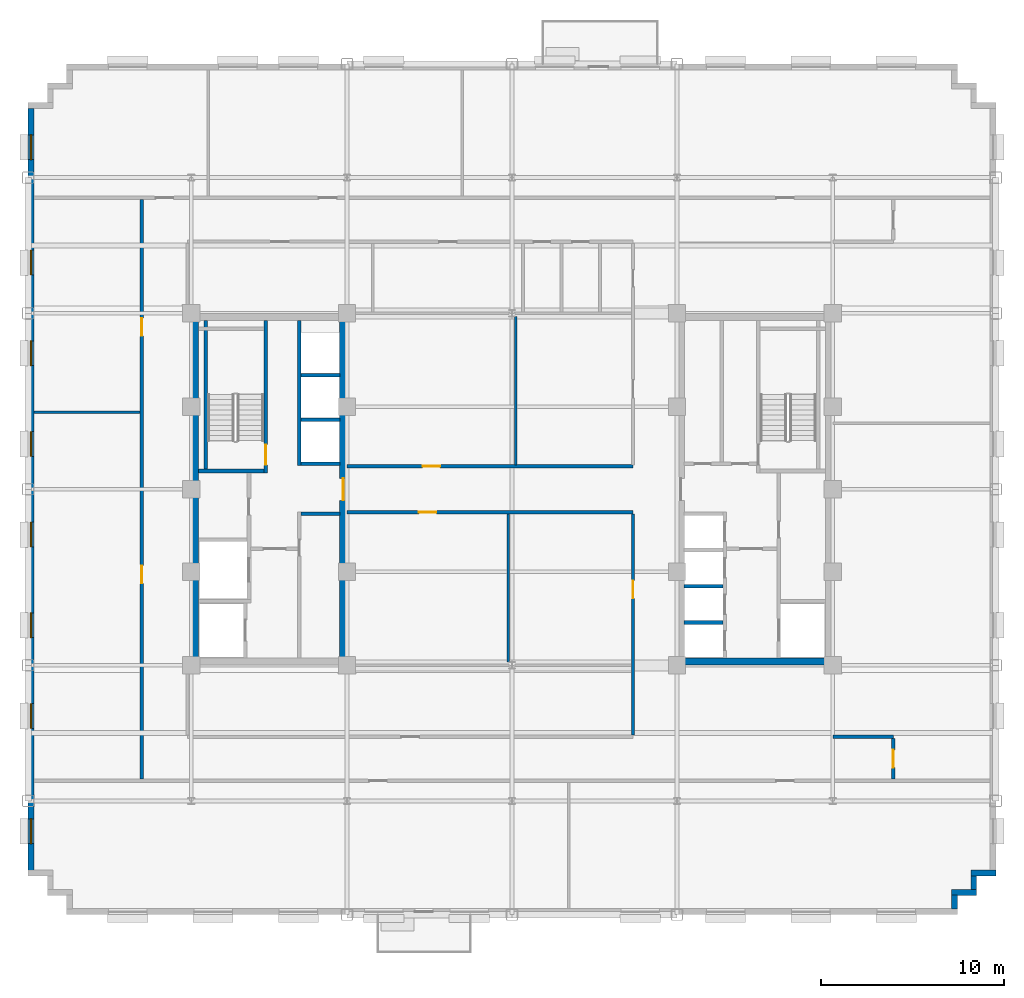
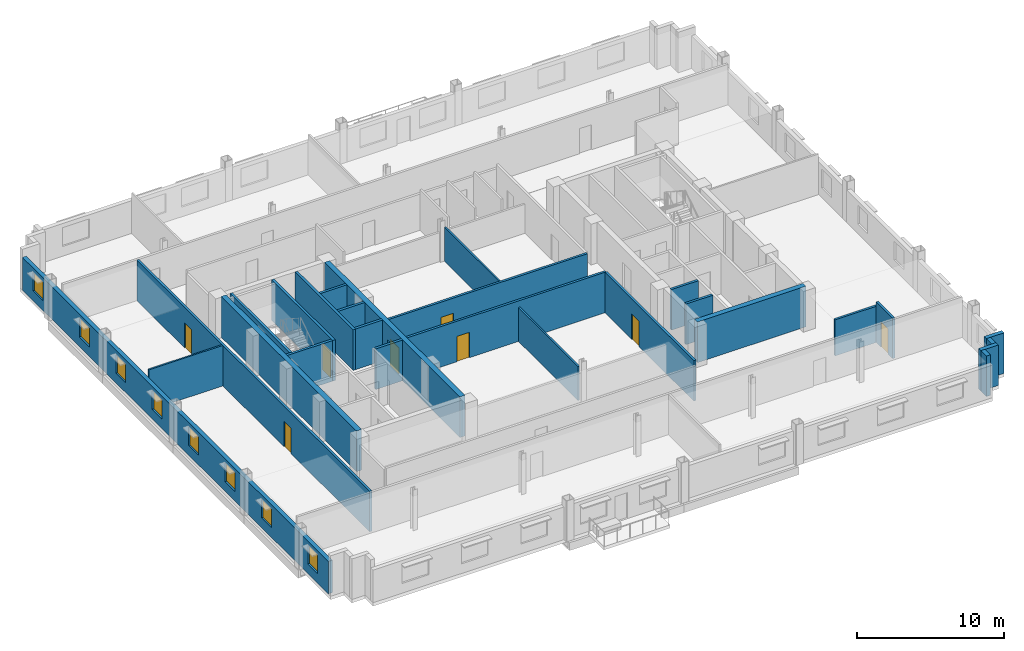
# One storey, part 7 of 14: 27 walls, 8 doors, 8 windows, 16 openings.
"""IFC4 building model written with IfcOpenShell, lengths in metres."""

from ifc_helpers import new_model, si_unit, direction, frame, frame_2d, origin, place, context, subcontext, project, spatial, rectangle, extrude, source, transform, mapped, material, layer, layer_set, type_object, type_shapes, element, fill, save


model = new_model("IFC4")

# Units and contexts
model_context = context("Model", 3, precision=1e-05, world=origin(), true_north=direction((0.0, 1.0)))
body_context = subcontext(model_context, "Body", "Model", "MODEL_VIEW")
ifc_project = project(units=[si_unit("LENGTHUNIT", "METRE"), si_unit("AREAUNIT", "SQUARE_METRE"), si_unit("VOLUMEUNIT", "CUBIC_METRE"), si_unit("PLANEANGLEUNIT", "RADIAN"), si_unit("MASSUNIT", "GRAM", prefix="KILO")], contexts=[model_context])

# Site, building, storey
site_placement = place(None, origin())
site = spatial("IfcSite", under=ifc_project, at=site_placement, CompositionType="ELEMENT")
building_placement = place(site_placement, origin())
building = spatial("IfcBuilding", under=site, at=building_placement, Name="Nuvemarco Arch Tower", CompositionType="ELEMENT")
storey_placement = place(building_placement, frame((0.0, 0.0, 138.449951171875)))
storey = spatial("IfcBuildingStorey", under=building, at=storey_placement, Name="L36", CompositionType="ELEMENT", Elevation=138.449951171875)

# Walls
ifc_material_1 = material(Name="Precast concrete C45/55", Category="concrete")
ifc_layer_1 = layer(ifc_material_1, 0.320068359375, Name="EW-MID-320")
ifc_layer_set_1 = layer_set([ifc_layer_1], Name="Precast concrete C45/55")
wall_type_1 = type_object("IfcWallType", Name="EW-MID-320", PredefinedType="STANDARD", material=ifc_layer_set_1)
wall_1_placement = place(storey_placement, frame((24.139892578125, -22.884033203125, 0.0), z_axis=(0.0, 0.0, 1.0), x_axis=(0.0, 1.0, 0.0)))
element("IfcWall", 1, at=wall_1_placement, inside=storey, type_object=wall_type_1, Name="L36 exterior precast facade wall 2", PredefinedType="STANDARD", context=body_context, shape_type="SweptSolid", body=[
    extrude(rectangle(XDim=0.738037109375, YDim=0.320068359375, at=frame_2d((0.369140625, 0.0))), origin(), (0.0, 0.0, 1.0), 3.360107421875),
])
wall_2_placement = place(storey_placement, frame((23.97998046875, -21.989990234375, 0.0), z_axis=(0.0, 0.0, 1.0), x_axis=(1.0, 0.0, 0.0)))
element("IfcWall", 2, at=wall_2_placement, inside=storey, type_object=wall_type_1, Name="L36 exterior precast facade wall 3", PredefinedType="STANDARD", context=body_context, shape_type="SweptSolid", body=[
    extrude(rectangle(XDim=1.3701171875, YDim=0.320068359375, at=frame_2d((0.68505859375, 0.0))), origin(), (0.0, 0.0, 1.0), 3.360107421875),
])
wall_3_placement = place(storey_placement, frame((25.18994140625, -21.833984375, 0.0), z_axis=(0.0, 0.0, 1.0), x_axis=(0.0, 1.0, 0.0)))
element("IfcWall", 3, at=wall_3_placement, inside=storey, type_object=wall_type_1, Name="L36 exterior precast facade wall 4", PredefinedType="STANDARD", context=body_context, shape_type="SweptSolid", body=[
    extrude(rectangle(XDim=0.738037109375, YDim=0.320068359375, at=frame_2d((0.369140625, 0.0))), origin(), (0.0, 0.0, 1.0), 3.360107421875),
])
wall_4_placement = place(storey_placement, frame((25.030029296875, -20.93994140625, 0.0), z_axis=(0.0, 0.0, 1.0), x_axis=(1.0, 0.0, 0.0)))
element("IfcWall", 4, at=wall_4_placement, inside=storey, type_object=wall_type_1, Name="L36 exterior precast facade wall 5", PredefinedType="STANDARD", context=body_context, shape_type="SweptSolid", body=[
    extrude(rectangle(XDim=1.369873046875, YDim=0.320068359375, at=frame_2d((0.68505859375, 0.0))), origin(), (0.0, 0.0, 1.0), 3.360107421875),
])

# Wall, openings, windows
wall_5_placement = place(storey_placement, frame((-26.239990234375, -20.783935546875, 0.0), z_axis=(0.0, 0.0, 1.0), x_axis=(0.0, 1.0, 0.0)))
wall_5 = element("IfcWall", 5, at=wall_5_placement, inside=storey, type_object=wall_type_1, Name="L36 exterior precast facade wall 16", PredefinedType="STANDARD", context=body_context, shape_type="SweptSolid", body=[
    extrude(rectangle(XDim=41.56787109375, YDim=0.320068359375, at=frame_2d((20.783935546875, 0.0))), origin(), (0.0, 0.0, 1.0), 2.705078125),
])
opening_1_placement = place(wall_5_placement, frame((1.447998046875, 0.0, 0.800048828125)))
opening_1 = element("IfcOpeningElement", 6, at=opening_1_placement, cuts=wall_5, Name="Opening WN-6", PredefinedType="OPENING", context=body_context, shape_type="SweptSolid", body=[
    extrude(rectangle(XDim=1.35009765625, YDim=1.56005859375, at=frame_2d((0.675048828125, 0.780029296875))), frame((0.0, 0.169921875, 0.0), z_axis=(0.0, -1.0, 0.0), x_axis=(1.0, 0.0, 0.0)), (0.0, 0.0, 1.0), 0.340087890625),
])
opening_2_placement = place(wall_5_placement, frame((7.743896484375, 0.0, 0.800048828125)))
opening_2 = element("IfcOpeningElement", 7, at=opening_2_placement, cuts=wall_5, Name="Opening WN-6", PredefinedType="OPENING", context=body_context, shape_type="SweptSolid", body=[
    extrude(rectangle(XDim=1.35009765625, YDim=1.56005859375, at=frame_2d((0.675048828125, 0.780029296875))), frame((0.0, 0.169921875, 0.0), z_axis=(0.0, -1.0, 0.0), x_axis=(1.0, 0.0, 0.0)), (0.0, 0.0, 1.0), 0.340087890625),
])
opening_3_placement = place(wall_5_placement, frame((12.68994140625, 0.0, 0.800048828125)))
opening_3 = element("IfcOpeningElement", 8, at=opening_3_placement, cuts=wall_5, Name="Opening WN-6", PredefinedType="OPENING", context=body_context, shape_type="SweptSolid", body=[
    extrude(rectangle(XDim=1.35009765625, YDim=1.56005859375, at=frame_2d((0.675048828125, 0.780029296875))), frame((0.0, 0.169921875, 0.0), z_axis=(0.0, -1.0, 0.0), x_axis=(1.0, 0.0, 0.0)), (0.0, 0.0, 1.0), 0.340087890625),
])
opening_4_placement = place(wall_5_placement, frame((17.635986328125, 0.0, 0.800048828125)))
opening_4 = element("IfcOpeningElement", 9, at=opening_4_placement, cuts=wall_5, Name="Opening WN-6", PredefinedType="OPENING", context=body_context, shape_type="SweptSolid", body=[
    extrude(rectangle(XDim=1.35009765625, YDim=1.56005859375, at=frame_2d((0.675048828125, 0.780029296875))), frame((0.0, 0.169921875, 0.0), z_axis=(0.0, -1.0, 0.0), x_axis=(1.0, 0.0, 0.0)), (0.0, 0.0, 1.0), 0.340087890625),
])
opening_5_placement = place(wall_5_placement, frame((22.58203125, 0.0, 0.800048828125)))
opening_5 = element("IfcOpeningElement", 10, at=opening_5_placement, cuts=wall_5, Name="Opening WN-6", PredefinedType="OPENING", context=body_context, shape_type="SweptSolid", body=[
    extrude(rectangle(XDim=1.35009765625, YDim=1.56005859375, at=frame_2d((0.675048828125, 0.780029296875))), frame((0.0, 0.169921875, 0.0), z_axis=(0.0, -1.0, 0.0), x_axis=(1.0, 0.0, 0.0)), (0.0, 0.0, 1.0), 0.340087890625),
])
opening_6_placement = place(wall_5_placement, frame((27.528076171875, 0.0, 0.800048828125)))
opening_6 = element("IfcOpeningElement", 11, at=opening_6_placement, cuts=wall_5, Name="Opening WN-6", PredefinedType="OPENING", context=body_context, shape_type="SweptSolid", body=[
    extrude(rectangle(XDim=1.35009765625, YDim=1.56005859375, at=frame_2d((0.675048828125, 0.780029296875))), frame((0.0, 0.169921875, 0.0), z_axis=(0.0, -1.0, 0.0), x_axis=(1.0, 0.0, 0.0)), (0.0, 0.0, 1.0), 0.340087890625),
])
opening_7_placement = place(wall_5_placement, frame((32.47412109375, 0.0, 0.800048828125)))
opening_7 = element("IfcOpeningElement", 12, at=opening_7_placement, cuts=wall_5, Name="Opening WN-6", PredefinedType="OPENING", context=body_context, shape_type="SweptSolid", body=[
    extrude(rectangle(XDim=1.35009765625, YDim=1.56005859375, at=frame_2d((0.675048828125, 0.780029296875))), frame((0.0, 0.169921875, 0.0), z_axis=(0.0, -1.0, 0.0), x_axis=(1.0, 0.0, 0.0)), (0.0, 0.0, 1.0), 0.340087890625),
])
opening_8_placement = place(wall_5_placement, frame((38.77001953125, 0.0, 0.800048828125)))
opening_8 = element("IfcOpeningElement", 13, at=opening_8_placement, cuts=wall_5, Name="Opening WN-6", PredefinedType="OPENING", context=body_context, shape_type="SweptSolid", body=[
    extrude(rectangle(XDim=1.35009765625, YDim=1.56005859375, at=frame_2d((0.675048828125, 0.780029296875))), frame((0.0, 0.169921875, 0.0), z_axis=(0.0, -1.0, 0.0), x_axis=(1.0, 0.0, 0.0)), (0.0, 0.0, 1.0), 0.340087890625),
])
ifc_material_2 = material(Name="Insulated solar-control glass", Category="glass")
window_type = type_object("IfcWindowType", Name="WN-MID-1350x1560", PartitioningType="SINGLE_PANEL", PredefinedType="WINDOW", material=ifc_material_2)
shared_shape_1 = source(origin(), body_context, "Body", "SweptSolid", [
    extrude(rectangle(XDim=1.35009765625, YDim=1.56005859375, at=frame_2d((0.675048828125, 0.780029296875))), frame((0.0, 0.030029296875, 0.0), z_axis=(0.0, -1.0, 0.0), x_axis=(1.0, 0.0, 0.0)), (0.0, 0.0, 1.0), 0.06005859375),
])
type_shapes(window_type, [shared_shape_1])
window_1_placement = place(opening_1_placement, origin())
window_1 = element("IfcWindow", 14, at=window_1_placement, inside=storey, type_object=window_type, Name="L36 punched facade window 1", OverallHeight=1.56005859375, OverallWidth=1.35009765625, PartitioningType="SINGLE_PANEL", PredefinedType="WINDOW", context=body_context, shape_type="MappedRepresentation", body=[
    mapped(shared_shape_1, transform((0.0, 0.0, 0.0), scale=1.0)),
])
fill(opening_1, window_1)
window_2_placement = place(opening_2_placement, origin())
window_2 = element("IfcWindow", 15, at=window_2_placement, inside=storey, type_object=window_type, Name="L36 punched facade window 2", OverallHeight=1.56005859375, OverallWidth=1.35009765625, PartitioningType="SINGLE_PANEL", PredefinedType="WINDOW", context=body_context, shape_type="MappedRepresentation", body=[
    mapped(shared_shape_1, transform((0.0, 0.0, 0.0), scale=1.0)),
])
fill(opening_2, window_2)
window_3_placement = place(opening_3_placement, origin())
window_3 = element("IfcWindow", 16, at=window_3_placement, inside=storey, type_object=window_type, Name="L36 punched facade window 3", OverallHeight=1.56005859375, OverallWidth=1.35009765625, PartitioningType="SINGLE_PANEL", PredefinedType="WINDOW", context=body_context, shape_type="MappedRepresentation", body=[
    mapped(shared_shape_1, transform((0.0, 0.0, 0.0), scale=1.0)),
])
fill(opening_3, window_3)
window_4_placement = place(opening_4_placement, origin())
window_4 = element("IfcWindow", 17, at=window_4_placement, inside=storey, type_object=window_type, Name="L36 punched facade window 4", OverallHeight=1.56005859375, OverallWidth=1.35009765625, PartitioningType="SINGLE_PANEL", PredefinedType="WINDOW", context=body_context, shape_type="MappedRepresentation", body=[
    mapped(shared_shape_1, transform((0.0, 0.0, 0.0), scale=1.0)),
])
fill(opening_4, window_4)
window_5_placement = place(opening_5_placement, origin())
window_5 = element("IfcWindow", 18, at=window_5_placement, inside=storey, type_object=window_type, Name="L36 punched facade window 5", OverallHeight=1.56005859375, OverallWidth=1.35009765625, PartitioningType="SINGLE_PANEL", PredefinedType="WINDOW", context=body_context, shape_type="MappedRepresentation", body=[
    mapped(shared_shape_1, transform((0.0, 0.0, 0.0), scale=1.0)),
])
fill(opening_5, window_5)
window_6_placement = place(opening_6_placement, origin())
window_6 = element("IfcWindow", 19, at=window_6_placement, inside=storey, type_object=window_type, Name="L36 punched facade window 6", OverallHeight=1.56005859375, OverallWidth=1.35009765625, PartitioningType="SINGLE_PANEL", PredefinedType="WINDOW", context=body_context, shape_type="MappedRepresentation", body=[
    mapped(shared_shape_1, transform((0.0, 0.0, 0.0), scale=1.0)),
])
fill(opening_6, window_6)
window_7_placement = place(opening_7_placement, origin())
window_7 = element("IfcWindow", 20, at=window_7_placement, inside=storey, type_object=window_type, Name="L36 punched facade window 7", OverallHeight=1.56005859375, OverallWidth=1.35009765625, PartitioningType="SINGLE_PANEL", PredefinedType="WINDOW", context=body_context, shape_type="MappedRepresentation", body=[
    mapped(shared_shape_1, transform((0.0, 0.0, 0.0), scale=1.0)),
])
fill(opening_7, window_7)
window_8_placement = place(opening_8_placement, origin())
window_8 = element("IfcWindow", 21, at=window_8_placement, inside=storey, type_object=window_type, Name="L36 punched facade window 8", OverallHeight=1.56005859375, OverallWidth=1.35009765625, PartitioningType="SINGLE_PANEL", PredefinedType="WINDOW", context=body_context, shape_type="MappedRepresentation", body=[
    mapped(shared_shape_1, transform((0.0, 0.0, 0.0), scale=1.0)),
])
fill(opening_8, window_8)

# Wall
ifc_material_3 = material(Name="Concrete C60/75", Category="concrete")
ifc_layer_2 = layer(ifc_material_3, 0.39990234375, Name="WL-CORE-400")
ifc_layer_set_2 = layer_set([ifc_layer_2], Name="Concrete C60/75")
wall_type_2 = type_object("IfcWallType", Name="WL-CORE-400", PredefinedType="SHEAR", material=ifc_layer_set_2)
wall_6_placement = place(storey_placement, frame((-17.300048828125, -9.205078125, 0.0), z_axis=(0.0, 0.0, 1.0), x_axis=(0.0, 1.0, 0.0)))
element("IfcWall", 22, at=wall_6_placement, inside=storey, type_object=wall_type_2, Name="L36 W-core shear wall W", PredefinedType="SHEAR", context=body_context, shape_type="SweptSolid", body=[
    extrude(rectangle(XDim=18.41015625, YDim=0.39990234375, at=frame_2d((9.205078125, 0.0))), origin(), (0.0, 0.0, 1.0), 3.3701171875),
])

# Wall, opening, door
wall_7_placement = place(storey_placement, frame((-9.199951171875, -9.205078125, 0.0), z_axis=(0.0, 0.0, 1.0), x_axis=(0.0, 1.0, 0.0)))
wall_7 = element("IfcWall", 23, at=wall_7_placement, inside=storey, type_object=wall_type_2, Name="L36 W-core shear wall E", PredefinedType="SHEAR", context=body_context, shape_type="SweptSolid", body=[
    extrude(rectangle(XDim=18.41015625, YDim=0.39990234375, at=frame_2d((9.205078125, 0.0))), origin(), (0.0, 0.0, 1.0), 3.3701171875),
])
opening_9_placement = place(wall_7_placement, frame((8.60498046875, 0.0, 0.0)))
opening_9 = element("IfcOpeningElement", 24, at=opening_9_placement, cuts=wall_7, Name="Opening FD-2", PredefinedType="OPENING", context=body_context, shape_type="SweptSolid", body=[
    extrude(rectangle(XDim=1.199951171875, YDim=2.14990234375, at=frame_2d((0.60009765625, 1.074951171875))), frame((0.0, 0.2099609375, 0.0), z_axis=(0.0, -1.0, 0.0), x_axis=(1.0, 0.0, 0.0)), (0.0, 0.0, 1.0), 0.419921875),
])
ifc_material_4 = material(Name="Anodised steel fire door", Category="steel")
door_type_1 = type_object("IfcDoorType", Name="DR-FFLOB-FD", OperationType="NOTDEFINED", PredefinedType="DOOR", material=ifc_material_4)
shared_shape_2 = source(origin(), body_context, "Body", "SweptSolid", [
    extrude(rectangle(XDim=1.199951171875, YDim=2.14990234375, at=frame_2d((0.60009765625, 1.074951171875))), frame((0.0, 0.02490234375, 0.0), z_axis=(0.0, -1.0, 0.0), x_axis=(1.0, 0.0, 0.0)), (0.0, 0.0, 1.0), 0.050048828125),
])
type_shapes(door_type_1, [shared_shape_2])
door_1_placement = place(opening_9_placement, origin())
door_1 = element("IfcDoor", 25, at=door_1_placement, inside=storey, type_object=door_type_1, Name="L36 door FD-L36-WCORE-E", OperationType="SINGLE_SWING_LEFT", OverallHeight=2.14990234375, OverallWidth=1.199951171875, PredefinedType="DOOR", context=body_context, shape_type="MappedRepresentation", body=[
    mapped(shared_shape_2, transform((0.0, 0.0, 0.0), scale=1.0)),
])
fill(opening_9, door_1)

# Walls
wall_8_placement = place(storey_placement, frame((9.0, -9.39990234375, 0.0), z_axis=(0.0, 0.0, 1.0), x_axis=(1.0, 0.0, 0.0)))
element("IfcWall", 26, at=wall_8_placement, inside=storey, type_object=wall_type_2, Name="L36 E-core shear wall S", PredefinedType="SHEAR", context=body_context, shape_type="SweptSolid", body=[
    extrude(rectangle(XDim=8.5, YDim=0.39990234375, at=frame_2d((4.25, 0.0))), origin(), (0.0, 0.0, 1.0), 3.3701171875),
])
ifc_material_5 = material(Name="Fire-rated gypsum drywall partition")
ifc_layer_3 = layer(ifc_material_5, 0.179931640625, Name="WL-CORR-180")
ifc_layer_set_3 = layer_set([ifc_layer_3], Name="Fire-rated gypsum drywall partition")
wall_type_3 = type_object("IfcWallType", Name="WL-CORR-180", PredefinedType="PARTITIONING", material=ifc_layer_set_3)
wall_9_placement = place(storey_placement, frame((17.5, -13.5, 0.0), z_axis=(0.0, 0.0, 1.0), x_axis=(1.0, 0.0, 0.0)))
element("IfcWall", 27, at=wall_9_placement, inside=storey, type_object=wall_type_3, Name="L36 interior wall IW-L36-003", PredefinedType="PARTITIONING", context=body_context, shape_type="SweptSolid", body=[
    extrude(rectangle(XDim=3.300048828125, YDim=0.179931640625, at=frame_2d((1.64990234375, 0.0))), origin(), (0.0, 0.0, 1.0), 2.998046875),
])

# Wall, opening, door
wall_10_placement = place(storey_placement, frame((-9.0, -1.25, 0.0), z_axis=(0.0, 0.0, 1.0), x_axis=(1.0, 0.0, 0.0)))
wall_10 = element("IfcWall", 28, at=wall_10_placement, inside=storey, type_object=wall_type_3, Name="L36 interior wall IW-L36-006", PredefinedType="PARTITIONING", context=body_context, shape_type="SweptSolid", body=[
    extrude(rectangle(XDim=15.60009765625, YDim=0.179931640625, at=frame_2d((7.800048828125, 0.0))), origin(), (0.0, 0.0, 1.0), 3.360107421875),
])
opening_10_placement = place(wall_10_placement, frame((3.919921875, 0.0, 0.0)))
opening_10 = element("IfcOpeningElement", 29, at=opening_10_placement, cuts=wall_10, Name="Opening FD-5", PredefinedType="OPENING", context=body_context, shape_type="SweptSolid", body=[
    extrude(rectangle(XDim=0.9599609375, YDim=2.10009765625, at=frame_2d((0.47998046875, 1.050048828125))), frame((0.0, 0.099853515625, 0.0), z_axis=(0.0, -1.0, 0.0), x_axis=(1.0, 0.0, 0.0)), (0.0, 0.0, 1.0), 0.199951171875),
])
ifc_material_6 = material(Name="Timber fire door", Category="wood")
door_type_2 = type_object("IfcDoorType", Name="DR-CORR-FD", OperationType="NOTDEFINED", PredefinedType="DOOR", material=ifc_material_6)
shared_shape_3 = source(origin(), body_context, "Body", "SweptSolid", [
    extrude(rectangle(XDim=0.9599609375, YDim=2.10009765625, at=frame_2d((0.47998046875, 1.050048828125))), frame((0.0, 0.02490234375, 0.0), z_axis=(0.0, -1.0, 0.0), x_axis=(1.0, 0.0, 0.0)), (0.0, 0.0, 1.0), 0.050048828125),
])
type_shapes(door_type_2, [shared_shape_3])
door_2_placement = place(opening_10_placement, origin())
door_2 = element("IfcDoor", 30, at=door_2_placement, inside=storey, type_object=door_type_2, Name="L36 door DR-L36-C_SW", OperationType="SINGLE_SWING_RIGHT", OverallHeight=2.10009765625, OverallWidth=0.9599609375, PredefinedType="DOOR", context=body_context, shape_type="MappedRepresentation", body=[
    mapped(shared_shape_3, transform((0.0, 0.0, 0.0), scale=1.0)),
])
fill(opening_10, door_2)

wall_11_placement = place(storey_placement, frame((-9.0, 1.25, 0.0), z_axis=(0.0, 0.0, 1.0), x_axis=(1.0, 0.0, 0.0)))
wall_11 = element("IfcWall", 31, at=wall_11_placement, inside=storey, type_object=wall_type_3, Name="L36 interior wall IW-L36-007", PredefinedType="PARTITIONING", context=body_context, shape_type="SweptSolid", body=[
    extrude(rectangle(XDim=15.60009765625, YDim=0.179931640625, at=frame_2d((7.800048828125, 0.0))), origin(), (0.0, 0.0, 1.0), 3.360107421875),
])
opening_11_placement = place(wall_11_placement, frame((4.1201171875, 0.0, 0.0)))
opening_11 = element("IfcOpeningElement", 32, at=opening_11_placement, cuts=wall_11, Name="Opening FD-5", PredefinedType="OPENING", context=body_context, shape_type="SweptSolid", body=[
    extrude(rectangle(XDim=0.9599609375, YDim=2.10009765625, at=frame_2d((0.47998046875, 1.050048828125))), frame((0.0, 0.099853515625, 0.0), z_axis=(0.0, -1.0, 0.0), x_axis=(1.0, 0.0, 0.0)), (0.0, 0.0, 1.0), 0.199951171875),
])
door_3_placement = place(opening_11_placement, origin())
door_3 = element("IfcDoor", 33, at=door_3_placement, inside=storey, type_object=door_type_2, Name="L36 door DR-L36-C_NW", OperationType="SINGLE_SWING_LEFT", OverallHeight=2.10009765625, OverallWidth=0.9599609375, PredefinedType="DOOR", context=body_context, shape_type="MappedRepresentation", body=[
    mapped(shared_shape_3, transform((0.0, 0.0, 0.0), scale=1.0)),
])
fill(opening_11, door_3)

# Wall, openings, doors
wall_12_placement = place(storey_placement, frame((-20.199951171875, -15.81396484375, 0.0), z_axis=(0.0, 0.0, 1.0), x_axis=(0.0, 1.0, 0.0)))
wall_12 = element("IfcWall", 34, at=wall_12_placement, inside=storey, type_object=wall_type_3, Name="L36 interior wall IW-L36-015", PredefinedType="PARTITIONING", context=body_context, shape_type="SweptSolid", body=[
    extrude(rectangle(XDim=31.6279296875, YDim=0.179931640625, at=frame_2d((15.81396484375, 0.0))), origin(), (0.0, 0.0, 1.0), 3.360107421875),
])
opening_12_placement = place(wall_12_placement, frame((10.68408203125, 0.0, 0.0)))
opening_12 = element("IfcOpeningElement", 35, at=opening_12_placement, cuts=wall_12, Name="Opening FD-5", PredefinedType="OPENING", context=body_context, shape_type="SweptSolid", body=[
    extrude(rectangle(XDim=0.9599609375, YDim=2.10009765625, at=frame_2d((0.47998046875, 1.050048828125))), frame((0.0, 0.099853515625, 0.0), z_axis=(0.0, -1.0, 0.0), x_axis=(1.0, 0.0, 0.0)), (0.0, 0.0, 1.0), 0.199951171875),
])
opening_13_placement = place(wall_12_placement, frame((24.18408203125, 0.0, 0.0)))
opening_13 = element("IfcOpeningElement", 36, at=opening_13_placement, cuts=wall_12, Name="Opening FD-5", PredefinedType="OPENING", context=body_context, shape_type="SweptSolid", body=[
    extrude(rectangle(XDim=0.9599609375, YDim=2.10009765625, at=frame_2d((0.47998046875, 1.050048828125))), frame((0.0, 0.099853515625, 0.0), z_axis=(0.0, -1.0, 0.0), x_axis=(1.0, 0.0, 0.0)), (0.0, 0.0, 1.0), 0.199951171875),
])
door_4_placement = place(opening_12_placement, origin())
door_4 = element("IfcDoor", 37, at=door_4_placement, inside=storey, type_object=door_type_2, Name="L36 door DR-L36-W_1", OperationType="SINGLE_SWING_LEFT", OverallHeight=2.10009765625, OverallWidth=0.9599609375, PredefinedType="DOOR", context=body_context, shape_type="MappedRepresentation", body=[
    mapped(shared_shape_3, transform((0.0, 0.0, 0.0), scale=1.0)),
])
fill(opening_12, door_4)
door_5_placement = place(opening_13_placement, origin())
door_5 = element("IfcDoor", 38, at=door_5_placement, inside=storey, type_object=door_type_2, Name="L36 door DR-L36-W_2", OperationType="SINGLE_SWING_RIGHT", OverallHeight=2.10009765625, OverallWidth=0.9599609375, PredefinedType="DOOR", context=body_context, shape_type="MappedRepresentation", body=[
    mapped(shared_shape_3, transform((0.0, 0.0, 0.0), scale=1.0)),
])
fill(opening_13, door_5)

# Wall, opening, door
wall_13_placement = place(storey_placement, frame((6.60009765625, -13.4140625, 0.0), z_axis=(0.0, 0.0, 1.0), x_axis=(0.0, 1.0, 0.0)))
wall_13 = element("IfcWall", 39, at=wall_13_placement, inside=storey, type_object=wall_type_3, Name="L36 interior wall IW-L36-027", PredefinedType="PARTITIONING", context=body_context, shape_type="SweptSolid", body=[
    extrude(rectangle(XDim=12.078125, YDim=0.179931640625, at=frame_2d((6.0390625, 0.0))), origin(), (0.0, 0.0, 1.0), 3.360107421875),
])
opening_14_placement = place(wall_13_placement, frame((7.466064453125, 0.0, 0.0)))
opening_14 = element("IfcOpeningElement", 40, at=opening_14_placement, cuts=wall_13, Name="Opening FD-5", PredefinedType="OPENING", context=body_context, shape_type="SweptSolid", body=[
    extrude(rectangle(XDim=0.9599609375, YDim=2.10009765625, at=frame_2d((0.47998046875, 1.050048828125))), frame((0.0, 0.099853515625, 0.0), z_axis=(0.0, -1.0, 0.0), x_axis=(1.0, 0.0, 0.0)), (0.0, 0.0, 1.0), 0.199951171875),
])
door_6_placement = place(opening_14_placement, origin())
door_6 = element("IfcDoor", 41, at=door_6_placement, inside=storey, type_object=door_type_2, Name="L36 door DR-L36-C_SE", OperationType="SINGLE_SWING_RIGHT", OverallHeight=2.10009765625, OverallWidth=0.9599609375, PredefinedType="DOOR", context=body_context, shape_type="MappedRepresentation", body=[
    mapped(shared_shape_3, transform((0.0, 0.0, 0.0), scale=1.0)),
])
fill(opening_14, door_6)

wall_14_placement = place(storey_placement, frame((20.800048828125, -15.81396484375, 0.0), z_axis=(0.0, 0.0, 1.0), x_axis=(0.0, 1.0, 0.0)))
wall_14 = element("IfcWall", 42, at=wall_14_placement, inside=storey, type_object=wall_type_3, Name="L36 interior wall IW-L36-029", PredefinedType="PARTITIONING", context=body_context, shape_type="SweptSolid", body=[
    extrude(rectangle(XDim=2.22802734375, YDim=0.179931640625, at=frame_2d((1.114013671875, 0.0))), origin(), (0.0, 0.0, 1.0), 3.360107421875),
])
opening_15_placement = place(wall_14_placement, frame((0.634033203125, 0.0, 0.0)))
opening_15 = element("IfcOpeningElement", 43, at=opening_15_placement, cuts=wall_14, Name="Opening FD-5", PredefinedType="OPENING", context=body_context, shape_type="SweptSolid", body=[
    extrude(rectangle(XDim=0.9599609375, YDim=2.10009765625, at=frame_2d((0.47998046875, 1.050048828125))), frame((0.0, 0.099853515625, 0.0), z_axis=(0.0, -1.0, 0.0), x_axis=(1.0, 0.0, 0.0)), (0.0, 0.0, 1.0), 0.199951171875),
])
door_7_placement = place(opening_15_placement, origin())
door_7 = element("IfcDoor", 44, at=door_7_placement, inside=storey, type_object=door_type_2, Name="L36 door DR-L36-E_1", OperationType="SINGLE_SWING_RIGHT", OverallHeight=2.10009765625, OverallWidth=0.9599609375, PredefinedType="DOOR", context=body_context, shape_type="MappedRepresentation", body=[
    mapped(shared_shape_3, transform((0.0, 0.0, 0.0), scale=1.0)),
])
fill(opening_15, door_7)

# Walls
ifc_material_7 = material(Name="Glazed acoustic office partition")
ifc_layer_4 = layer(ifc_material_7, 0.1298828125, Name="WL-EXEC-130")
ifc_layer_set_4 = layer_set([ifc_layer_4], Name="Glazed acoustic office partition")
wall_type_4 = type_object("IfcWallType", Name="WL-EXEC-130", PredefinedType="PARTITIONING", material=ifc_layer_set_4)
wall_15_placement = place(storey_placement, frame((-26.080078125, 4.199951171875, 0.0), z_axis=(0.0, 0.0, 1.0), x_axis=(1.0, 0.0, 0.0)))
element("IfcWall", 45, at=wall_15_placement, inside=storey, type_object=wall_type_4, Name="L36 interior wall IW-L36-009", PredefinedType="PARTITIONING", context=body_context, shape_type="SweptSolid", body=[
    extrude(rectangle(XDim=5.794189453125, YDim=0.1298828125, at=frame_2d((2.89697265625, 0.0))), origin(), (0.0, 0.0, 1.0), 3.360107421875),
])
wall_16_placement = place(storey_placement, frame((0.199951171875, 1.3359375, 0.0), z_axis=(0.0, 0.0, 1.0), x_axis=(0.0, 1.0, 0.0)))
element("IfcWall", 46, at=wall_16_placement, inside=storey, type_object=wall_type_4, Name="L36 interior wall IW-L36-022", PredefinedType="PARTITIONING", context=body_context, shape_type="SweptSolid", body=[
    extrude(rectangle(XDim=8.088134765625, YDim=0.1298828125, at=frame_2d((4.0439453125, 0.0))), origin(), (0.0, 0.0, 1.0), 2.816162109375),
])
ifc_material_8 = material(Name="Gypsum plasterboard partition")
ifc_layer_5 = layer(ifc_material_8, 0.139892578125, Name="WL-ROOM-140")
ifc_layer_set_5 = layer_set([ifc_layer_5], Name="Gypsum plasterboard partition")
wall_type_5 = type_object("IfcWallType", Name="WL-ROOM-140", PredefinedType="PARTITIONING", material=ifc_layer_set_5)
wall_17_placement = place(storey_placement, frame((-0.199951171875, -9.424072265625, 0.0), z_axis=(0.0, 0.0, 1.0), x_axis=(0.0, 1.0, 0.0)))
element("IfcWall", 47, at=wall_17_placement, inside=storey, type_object=wall_type_5, Name="L36 interior wall IW-L36-021", PredefinedType="PARTITIONING", context=body_context, shape_type="SweptSolid", body=[
    extrude(rectangle(XDim=8.088134765625, YDim=0.139892578125, at=frame_2d((4.0439453125, 0.0))), origin(), (0.0, 0.0, 1.0), 2.816162109375),
])

# Wall, opening, door
ifc_material_9 = material(Name="Concrete C50/60", Category="concrete")
ifc_layer_6 = layer(ifc_material_9, 0.199951171875, Name="WL-SHAFT-220")
ifc_layer_set_6 = layer_set([ifc_layer_6], Name="Concrete C50/60")
wall_type_6 = type_object("IfcWallType", Name="WL-SHAFT-220", PredefinedType="SHEAR", material=ifc_layer_set_6)
wall_18_placement = place(storey_placement, frame((-13.43994140625, 0.89990234375, 0.0), z_axis=(0.0, 0.0, 1.0), x_axis=(0.0, 1.0, 0.0)))
wall_18 = element("IfcWall", 48, at=wall_18_placement, inside=storey, type_object=wall_type_6, Name="L36 structural shaft wall SW-L36-W-ST1E", PredefinedType="SHEAR", context=body_context, shape_type="SweptSolid", body=[
    extrude(rectangle(XDim=8.30517578125, YDim=0.199951171875, at=frame_2d((4.152587890625, 0.0))), origin(), (0.0, 0.0, 1.0), 3.3701171875),
])
opening_16_placement = place(wall_18_placement, frame((1.530029296875, 0.0, 0.0), z_axis=(0.0, 0.0, 1.0), x_axis=(-1.0, 0.0, 0.0)))
opening_16 = element("IfcOpeningElement", 49, at=opening_16_placement, cuts=wall_18, Name="Opening FD-1", PredefinedType="OPENING", context=body_context, shape_type="SweptSolid", body=[
    extrude(rectangle(XDim=1.10009765625, YDim=2.14990234375, at=frame_2d((0.550048828125, 1.074951171875))), frame((0.0, 0.10986328125, 0.0), z_axis=(0.0, -1.0, 0.0), x_axis=(1.0, 0.0, 0.0)), (0.0, 0.0, 1.0), 0.219970703125),
])
door_type_3 = type_object("IfcDoorType", Name="DR-STAIR-FD", OperationType="NOTDEFINED", PredefinedType="DOOR", material=ifc_material_4)
shared_shape_4 = source(origin(), body_context, "Body", "SweptSolid", [
    extrude(rectangle(XDim=1.10009765625, YDim=2.14990234375, at=frame_2d((0.550048828125, 1.074951171875))), frame((0.0, 0.02490234375, 0.0), z_axis=(0.0, -1.0, 0.0), x_axis=(1.0, 0.0, 0.0)), (0.0, 0.0, 1.0), 0.050048828125),
])
type_shapes(door_type_3, [shared_shape_4])
door_8_placement = place(opening_16_placement, origin())
door_8 = element("IfcDoor", 50, at=door_8_placement, inside=storey, type_object=door_type_3, Name="L36 door FD-L36-ST1", OperationType="SINGLE_SWING_RIGHT", OverallHeight=2.14990234375, OverallWidth=1.10009765625, PredefinedType="DOOR", context=body_context, shape_type="MappedRepresentation", body=[
    mapped(shared_shape_4, transform((0.0, 0.0, 0.0), scale=1.0)),
])
fill(opening_16, door_8)

# Walls
wall_19_placement = place(storey_placement, frame((-17.10498046875, 1.0, 0.0), z_axis=(0.0, 0.0, 1.0), x_axis=(1.0, 0.0, 0.0)))
element("IfcWall", 51, at=wall_19_placement, inside=storey, type_object=wall_type_6, Name="L36 structural shaft wall SW-L36-W-ST1S", PredefinedType="SHEAR", context=body_context, shape_type="SweptSolid", body=[
    extrude(rectangle(XDim=3.570068359375, YDim=0.199951171875, at=frame_2d((1.78515625, 0.0))), origin(), (0.0, 0.0, 1.0), 3.3701171875),
])
wall_20_placement = place(storey_placement, frame((-16.699951171875, 1.094970703125, 0.0), z_axis=(0.0, 0.0, 1.0), x_axis=(0.0, 1.0, 0.0)))
element("IfcWall", 52, at=wall_20_placement, inside=storey, type_object=wall_type_6, Name="L36 structural shaft wall SW-L36-W-ST1W", PredefinedType="SHEAR", context=body_context, shape_type="SweptSolid", body=[
    extrude(rectangle(XDim=8.110107421875, YDim=0.199951171875, at=frame_2d((4.05517578125, 0.0))), origin(), (0.0, 0.0, 1.0), 3.3701171875),
])
wall_21_placement = place(storey_placement, frame((-11.5048828125, -1.330078125, 0.0), z_axis=(0.0, 0.0, 1.0), x_axis=(1.0, 0.0, 0.0)))
element("IfcWall", 53, at=wall_21_placement, inside=storey, type_object=wall_type_6, Name="L36 structural shaft wall SW-L36-W-PLTOP", PredefinedType="SHEAR", context=body_context, shape_type="SweptSolid", body=[
    extrude(rectangle(XDim=2.10986328125, YDim=0.199951171875, at=frame_2d((1.054931640625, 0.0))), origin(), (0.0, 0.0, 1.0), 3.3701171875),
])
wall_22_placement = place(storey_placement, frame((-11.60009765625, 1.300048828125, 0.0), z_axis=(0.0, 0.0, 1.0), x_axis=(0.0, 1.0, 0.0)))
element("IfcWall", 54, at=wall_22_placement, inside=storey, type_object=wall_type_6, Name="L36 structural shaft wall SW-L36-W-PHW", PredefinedType="SHEAR", context=body_context, shape_type="SweptSolid", body=[
    extrude(rectangle(XDim=7.905029296875, YDim=0.199951171875, at=frame_2d((3.95263671875, 0.0))), origin(), (0.0, 0.0, 1.0), 3.3701171875),
])
for number, where, z_axis, x_axis, name in (
    (55, (-11.5048828125, 1.39990234375, 0.0), (0.0, 0.0, 1.0), (1.0, 0.0, 0.0), "L36 structural shaft wall SW-L36-W-PHD1"),
    (56, (-11.5048828125, 3.800048828125, 0.0), (0.0, 0.0, 1.0), (1.0, 0.0, 0.0), "L36 structural shaft wall SW-L36-W-PHD2"),
    (57, (-11.5048828125, 6.219970703125, 0.0), (0.0, 0.0, 1.0), (1.0, 0.0, 0.0), "L36 structural shaft wall SW-L36-W-PHD3"),
    (58, (9.39501953125, -7.27001953125, 0.0), (0.0, 0.0, 1.0), (1.0, 0.0, 0.0), "L36 structural shaft wall SW-L36-E-PMD1"),
    (59, (9.39501953125, -5.2900390625, 0.0), (0.0, 0.0, 1.0), (1.0, 0.0, 0.0), "L36 structural shaft wall SW-L36-E-PMD2"),
):
    element("IfcWall", number, at=place(storey_placement, frame(where, z_axis=z_axis, x_axis=x_axis)), inside=storey, type_object=wall_type_6, Name=name, PredefinedType="SHEAR", context=body_context, shape_type="SweptSolid", body=[
        extrude(rectangle(XDim=2.10986328125, YDim=0.199951171875, at=frame_2d((1.054931640625, 0.0))), origin(), (0.0, 0.0, 1.0), 3.3701171875),
    ])

save(model, "model.ifc")
